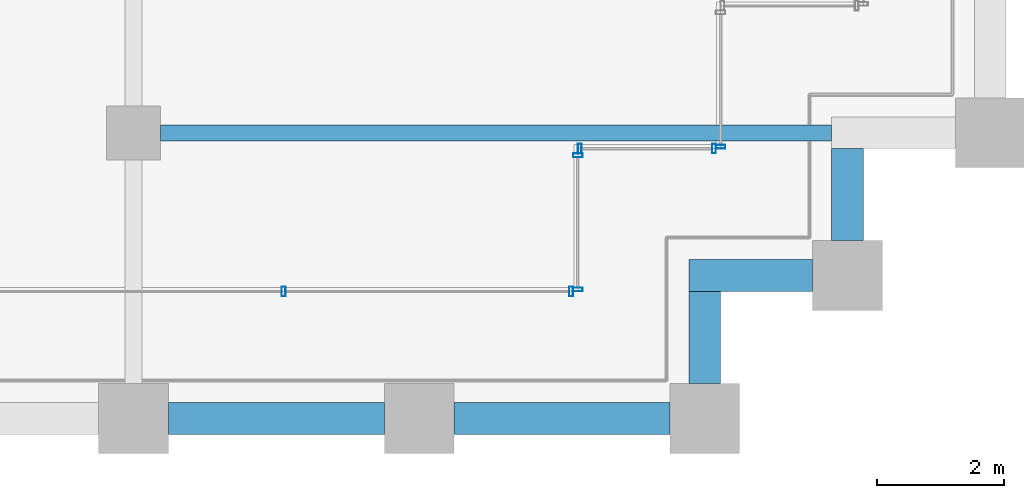
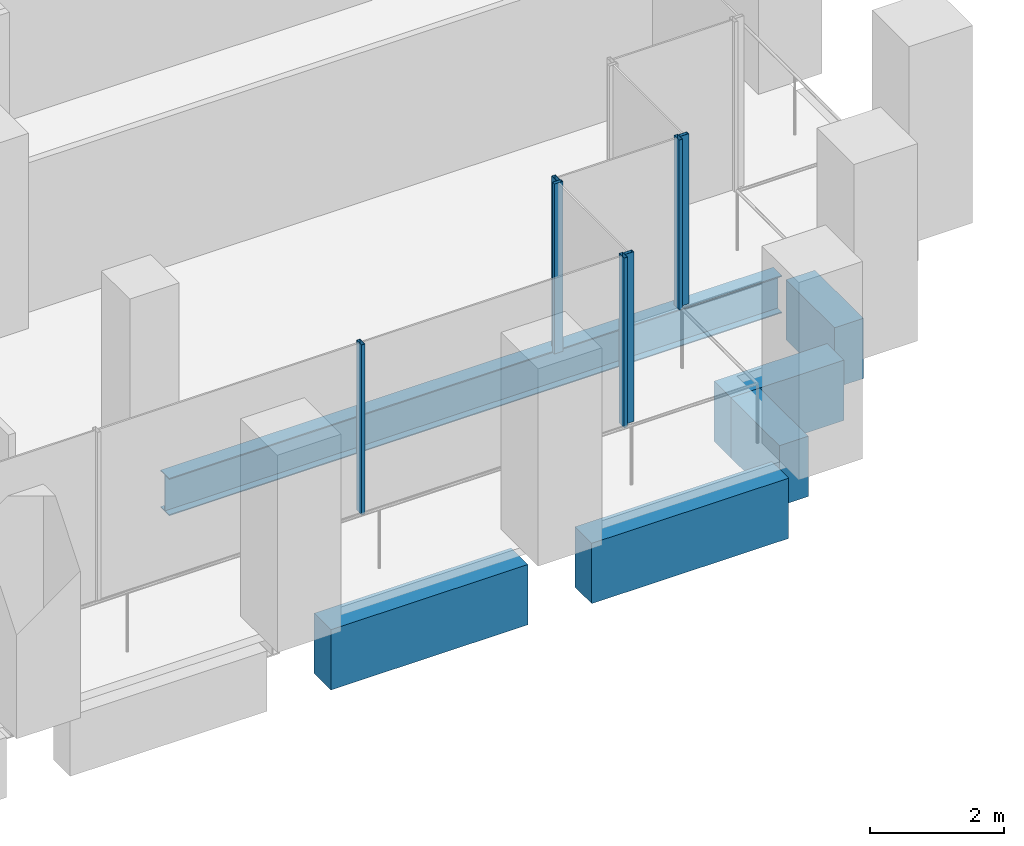
# One storey, part 15 of 56: 7 members, 6 beams, 4 elements without a shape of their own.
"""IFC4 building model written with IfcOpenShell, lengths in metres."""

from ifc_helpers import new_model, si_unit, direction, frame, origin, origin_2d, place, context, subcontext, project, spatial, rectangle, hollow_rectangle, i_section, extrude, material, material_profile, profile_set, type_object, element, aggregate, save


model = new_model("IFC4")

# Units and contexts
model_context = context("Model", 3, precision=1e-05, world=origin(), true_north=direction((0.0, 1.0)))
body_context = subcontext(model_context, "Body", "Model", "MODEL_VIEW")
ifc_project = project(units=[si_unit("LENGTHUNIT", "METRE"), si_unit("AREAUNIT", "SQUARE_METRE"), si_unit("VOLUMEUNIT", "CUBIC_METRE"), si_unit("PLANEANGLEUNIT", "RADIAN"), si_unit("MASSUNIT", "GRAM", prefix="KILO")], contexts=[model_context])

# Site, building, storey
site_placement = place(None, origin())
site = spatial("IfcSite", under=ifc_project, at=site_placement, CompositionType="ELEMENT")
building_placement = place(site_placement, origin())
building = spatial("IfcBuilding", under=site, at=building_placement, Name="Altepetl Exchange Towers", CompositionType="ELEMENT")
storey_placement = place(building_placement, frame((0.0, 0.0, 69.0)))
storey = spatial("IfcBuildingStorey", under=building, at=storey_placement, Name="L16", CompositionType="ELEMENT", Elevation=69.0)

# Beam
ifc_material_1 = material(Name="Steel S355", Category="steel")
ifc_material_profile_1 = material_profile(ifc_material_1, i_section(OverallWidth=0.25390625, OverallDepth=0.68408203125, WebThickness=0.012451171875, FlangeThickness=0.018798828125, at=origin_2d()), Name="W27X94")
ifc_profile_set_1 = profile_set([ifc_material_profile_1], Name="Steel S355")
beam_type_1 = type_object("IfcBeamType", Name="Floor beam W27X94", PredefinedType="BEAM", material=ifc_profile_set_1)
beam_1_placement = place(storey_placement, frame((58.925048828125, 31.5, -0.491943359375), z_axis=(1.0, 0.0, 0.0), x_axis=(0.0, 1.0, 0.0)))
element("IfcBeam", 1, at=beam_1_placement, inside=storey, type_object=beam_type_1, Name="bm:A:L16:006", PredefinedType="BEAM", context=body_context, shape_type="SweptSolid", body=[
    extrude(i_section(OverallWidth=0.25390625, OverallDepth=0.68408203125, WebThickness=0.012451171875, FlangeThickness=0.018798828125, at=origin_2d()), origin(), (0.0, 0.0, 1.0), 10.574951171875),
])

# Curtain wall, members
ifc_material_2 = material(Name="Aluminium 6063-T6 glazing", Category="aluminium")
curtain_wall_type = type_object("IfcCurtainWallType", Name="Loggia glazing system", PredefinedType="NOTDEFINED", material=ifc_material_2)
curtain_wall_1_placement = place(storey_placement, origin())
curtain_wall_1 = element("IfcCurtainWall", 2, at=curtain_wall_1_placement, inside=storey, type_object=curtain_wall_type, Name="CW1 run", PredefinedType="NOTDEFINED")
ifc_material_3 = material(Name="Aluminium 6063-T6", Category="aluminium")
ifc_material_profile_2 = material_profile(ifc_material_3, hollow_rectangle(XDim=0.06005859375, YDim=0.14990234375, WallThickness=0.0029296875, at=origin_2d()), Name="Mullion 60x150 aluminium")
ifc_profile_set_2 = profile_set([ifc_material_profile_2], Name="Aluminium 6063-T6")
member_type = type_object("IfcMemberType", Name="Mullion 60x150 aluminium", PredefinedType="MULLION", material=ifc_profile_set_2)
member_1_placement = place(storey_placement, frame((60.8642578125, 29.0, 0.0)))
member_1 = element("IfcMember", 3, at=member_1_placement, type_object=member_type, Name="MU1 mullion", PredefinedType="MULLION", context=body_context, shape_type="SweptSolid", body=[
    extrude(hollow_rectangle(XDim=0.06005859375, YDim=0.14990234375, WallThickness=0.0029296875, at=origin_2d()), origin(), (0.0, 0.0, 1.0), 3.10009765625),
])
member_2_placement = place(storey_placement, frame((65.39501953125, 29.0, 0.0)))
member_2 = element("IfcMember", 4, at=member_2_placement, type_object=member_type, Name="MU1 mullion", PredefinedType="MULLION", context=body_context, shape_type="SweptSolid", body=[
    extrude(hollow_rectangle(XDim=0.06005859375, YDim=0.14990234375, WallThickness=0.0029296875, at=origin_2d()), origin(), (0.0, 0.0, 1.0), 3.10009765625),
])
aggregate(curtain_wall_1, [member_1, member_2])

curtain_wall_2_placement = place(storey_placement, origin())
curtain_wall_2 = element("IfcCurtainWall", 5, at=curtain_wall_2_placement, inside=storey, type_object=curtain_wall_type, Name="CW1 run", PredefinedType="NOTDEFINED")
member_3_placement = place(storey_placement, frame((65.5, 29.030029296875, 0.0), z_axis=(0.0, 0.0, 1.0), x_axis=(0.0, 1.0, 0.0)))
member_3 = element("IfcMember", 6, at=member_3_placement, type_object=member_type, Name="MU1 mullion", PredefinedType="MULLION", context=body_context, shape_type="SweptSolid", body=[
    extrude(hollow_rectangle(XDim=0.06005859375, YDim=0.14990234375, WallThickness=0.0029296875, at=origin_2d()), origin(), (0.0, 0.0, 1.0), 3.10009765625),
])
member_4_placement = place(storey_placement, frame((65.5, 31.14501953125, 0.0), z_axis=(0.0, 0.0, 1.0), x_axis=(0.0, 1.0, 0.0)))
member_4 = element("IfcMember", 7, at=member_4_placement, type_object=member_type, Name="MU1 mullion", PredefinedType="MULLION", context=body_context, shape_type="SweptSolid", body=[
    extrude(hollow_rectangle(XDim=0.06005859375, YDim=0.14990234375, WallThickness=0.0029296875, at=origin_2d()), origin(), (0.0, 0.0, 1.0), 3.10009765625),
])
aggregate(curtain_wall_2, [member_3, member_4])

curtain_wall_3_placement = place(storey_placement, origin())
curtain_wall_3 = element("IfcCurtainWall", 8, at=curtain_wall_3_placement, inside=storey, type_object=curtain_wall_type, Name="CW1 run", PredefinedType="NOTDEFINED")
member_5_placement = place(storey_placement, frame((65.530029296875, 31.25, 0.0)))
member_5 = element("IfcMember", 9, at=member_5_placement, type_object=member_type, Name="MU1 mullion", PredefinedType="MULLION", context=body_context, shape_type="SweptSolid", body=[
    extrude(hollow_rectangle(XDim=0.06005859375, YDim=0.14990234375, WallThickness=0.0029296875, at=origin_2d()), origin(), (0.0, 0.0, 1.0), 3.10009765625),
])
member_6_placement = place(storey_placement, frame((67.64501953125, 31.25, 0.0)))
member_6 = element("IfcMember", 10, at=member_6_placement, type_object=member_type, Name="MU1 mullion", PredefinedType="MULLION", context=body_context, shape_type="SweptSolid", body=[
    extrude(hollow_rectangle(XDim=0.06005859375, YDim=0.14990234375, WallThickness=0.0029296875, at=origin_2d()), origin(), (0.0, 0.0, 1.0), 3.10009765625),
])
aggregate(curtain_wall_3, [member_5, member_6])

# Curtain wall, member
curtain_wall_4_placement = place(storey_placement, origin())
curtain_wall_4 = element("IfcCurtainWall", 11, at=curtain_wall_4_placement, inside=storey, type_object=curtain_wall_type, Name="CW1 run", PredefinedType="NOTDEFINED")
member_7_placement = place(storey_placement, frame((67.75, 31.280029296875, 0.0), z_axis=(0.0, 0.0, 1.0), x_axis=(0.0, 1.0, 0.0)))
member_7 = element("IfcMember", 12, at=member_7_placement, type_object=member_type, Name="MU1 mullion", PredefinedType="MULLION", context=body_context, shape_type="SweptSolid", body=[
    extrude(hollow_rectangle(XDim=0.06005859375, YDim=0.14990234375, WallThickness=0.0029296875, at=origin_2d()), origin(), (0.0, 0.0, 1.0), 3.10009765625),
])
aggregate(curtain_wall_4, [member_7])

# Beams
ifc_material_4 = material(Name="Concrete C50/60 precast with cantera amarilla facing", Category="concrete")
ifc_material_profile_3 = material_profile(ifc_material_4, rectangle(XDim=0.5, YDim=1.10009765625, at=origin_2d()), Name="500 x 1100")
ifc_profile_set_3 = profile_set([ifc_material_profile_3], Name="Concrete C50/60 precast with cantera amarilla facing")
beam_type_2 = type_object("IfcBeamType", Name="Spandrel beam 500x1100 cantera amarilla", PredefinedType="SPANDREL", material=ifc_profile_set_3)
for number, where, z_axis, x_axis, name in (
    (13, (59.050048828125, 27.0, -0.699951171875), (1.0, 0.0, 0.0), (0.0, 1.0, 0.0), "sp:A:L16:006"),
    (14, (63.550048828125, 27.0, -0.699951171875), (1.0, 0.0, 0.0), (0.0, 1.0, 0.0), "sp:A:L16:007"),
):
    element("IfcBeam", number, at=place(storey_placement, frame(where, z_axis=z_axis, x_axis=x_axis)), inside=storey, type_object=beam_type_2, Name=name, PredefinedType="SPANDREL", context=body_context, shape_type="SweptSolid", body=[
        extrude(rectangle(XDim=0.5, YDim=1.10009765625, at=origin_2d()), origin(), (0.0, 0.0, 1.0), 3.39990234375),
    ])
beam_2_placement = place(storey_placement, frame((67.5, 27.550048828125, -0.699951171875), z_axis=(0.0, 1.0, 0.0), x_axis=(-1.0, 0.0, 0.0)))
element("IfcBeam", 15, at=beam_2_placement, inside=storey, type_object=beam_type_2, Name="sp:A:L16:008", PredefinedType="SPANDREL", context=body_context, shape_type="SweptSolid", body=[
    extrude(rectangle(XDim=0.5, YDim=1.10009765625, at=origin_2d()), origin(), (0.0, 0.0, 1.0), 1.449951171875),
])
beam_3_placement = place(storey_placement, frame((67.25, 29.25, -0.699951171875), z_axis=(1.0, 0.0, 0.0), x_axis=(0.0, 1.0, 0.0)))
element("IfcBeam", 16, at=beam_3_placement, inside=storey, type_object=beam_type_2, Name="sp:A:L16:009", PredefinedType="SPANDREL", context=body_context, shape_type="SweptSolid", body=[
    extrude(rectangle(XDim=0.5, YDim=1.10009765625, at=origin_2d()), origin(), (0.0, 0.0, 1.0), 1.949951171875),
])
beam_4_placement = place(storey_placement, frame((69.75, 29.800048828125, -0.699951171875), z_axis=(0.0, 1.0, 0.0), x_axis=(-1.0, 0.0, 0.0)))
element("IfcBeam", 17, at=beam_4_placement, inside=storey, type_object=beam_type_2, Name="sp:A:L16:010", PredefinedType="SPANDREL", context=body_context, shape_type="SweptSolid", body=[
    extrude(rectangle(XDim=0.5, YDim=1.10009765625, at=origin_2d()), origin(), (0.0, 0.0, 1.0), 1.449951171875),
])

save(model, "model.ifc")
